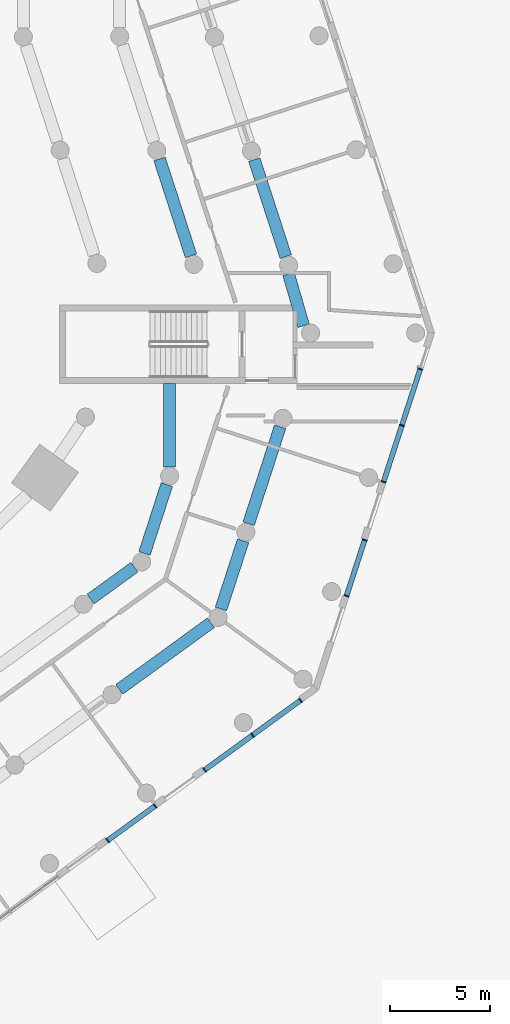
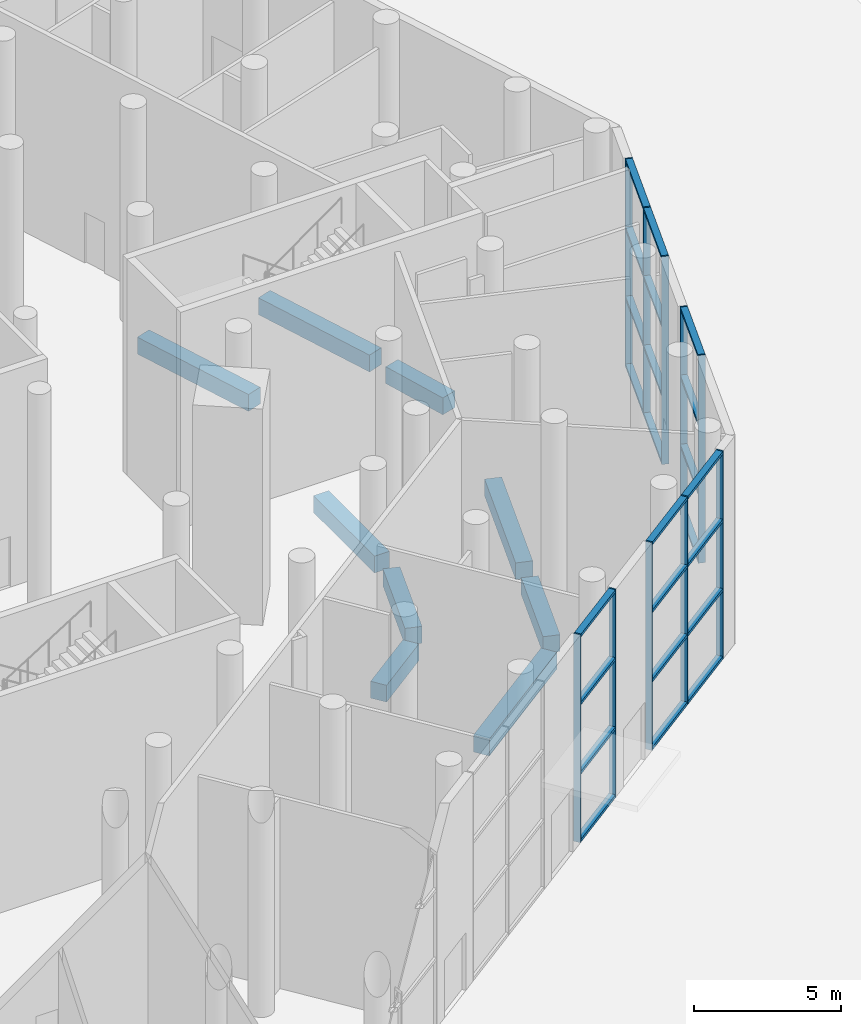
# One storey, part 6 of 25: 34 members, 9 beams, 4 elements without a shape of their own.
"""IFC4 building model written with IfcOpenShell, lengths in metres."""

from ifc_helpers import new_model, si_unit, direction, frame, origin, origin_2d, place, context, subcontext, project, spatial, rectangle, extrude, material, material_profile, profile_set, type_object, element, aggregate, save


model = new_model("IFC4")

# Units and contexts
model_context = context("Model", 3, precision=1e-05, world=origin(), true_north=direction((0.0, 1.0)))
body_context = subcontext(model_context, "Body", "Model", "MODEL_VIEW")
ifc_project = project(units=[si_unit("LENGTHUNIT", "METRE"), si_unit("AREAUNIT", "SQUARE_METRE"), si_unit("VOLUMEUNIT", "CUBIC_METRE"), si_unit("PLANEANGLEUNIT", "RADIAN"), si_unit("MASSUNIT", "GRAM", prefix="KILO")], contexts=[model_context])

# Site, building, storey
site_placement = place(None, origin())
site = spatial("IfcSite", under=ifc_project, at=site_placement, CompositionType="ELEMENT")
building_placement = place(site_placement, origin())
building = spatial("IfcBuilding", under=site, at=building_placement, Name="White Candle Pilgrim Tower", CompositionType="ELEMENT")
storey_placement = place(building_placement, origin())
storey = spatial("IfcBuildingStorey", under=building, at=storey_placement, Name="L00", CompositionType="ELEMENT", Elevation=0.0)

# Curtain wall, members
ifc_material_1 = material(Name="Aluminium and glass", Category="aluminium")
curtain_wall_type = type_object("IfcCurtainWallType", Name="Curtain wall CW1 hall glazing", PredefinedType="NOTDEFINED", material=ifc_material_1)
curtain_wall_1_placement = place(storey_placement, origin())
curtain_wall_1 = element("IfcCurtainWall", 1, at=curtain_wall_1_placement, inside=storey, type_object=curtain_wall_type, Name="Curtain wall CW1 L00 SE", PredefinedType="NOTDEFINED")
ifc_material_2 = material(Name="Aluminium", Category="aluminium")
ifc_material_profile_1 = material_profile(ifc_material_2, rectangle(XDim=0.25, YDim=0.06005859375, at=origin_2d()), Name="CW1 mullion 60x250")
ifc_profile_set_1 = profile_set([ifc_material_profile_1], Name="Aluminium")
member_type_1 = type_object("IfcMemberType", Name="CW1 mullion 60x250", PredefinedType="MULLION", material=ifc_profile_set_1)
member_1_placement = place(storey_placement, frame((94.713623046875, 35.139404296875, 0.0), z_axis=(0.0, 0.0, 1.0), x_axis=(-0.58778525698, 0.809016990969, 0.0)))
member_1 = element("IfcMember", 2, at=member_1_placement, type_object=member_type_1, Name="CW1 mullion 1", PredefinedType="MULLION", context=body_context, shape_type="SweptSolid", body=[
    extrude(rectangle(XDim=0.25, YDim=0.06005859375, at=origin_2d()), origin(), (0.0, 0.0, 1.0), 8.64990234375),
])
member_2_placement = place(storey_placement, frame((97.09228515625, 36.86767578125, 0.0), z_axis=(0.0, 0.0, 1.0), x_axis=(-0.58778525698, 0.809016990969, 0.0)))
member_2 = element("IfcMember", 3, at=member_2_placement, type_object=member_type_1, Name="CW1 mullion 2", PredefinedType="MULLION", context=body_context, shape_type="SweptSolid", body=[
    extrude(rectangle(XDim=0.25, YDim=0.06005859375, at=origin_2d()), origin(), (0.0, 0.0, 1.0), 8.64990234375),
])

curtain_wall_2_placement = place(storey_placement, origin())
curtain_wall_2 = element("IfcCurtainWall", 4, at=curtain_wall_2_placement, inside=storey, type_object=curtain_wall_type, Name="Curtain wall CW1 L00 SE", PredefinedType="NOTDEFINED")
member_3_placement = place(storey_placement, frame((99.56787109375, 38.666259765625, 0.0), z_axis=(0.0, 0.0, 1.0), x_axis=(-0.587785256867, 0.809016991051, 0.0)))
member_3 = element("IfcMember", 5, at=member_3_placement, type_object=member_type_1, Name="CW1 mullion 1", PredefinedType="MULLION", context=body_context, shape_type="SweptSolid", body=[
    extrude(rectangle(XDim=0.25, YDim=0.06005859375, at=origin_2d()), origin(), (0.0, 0.0, 1.0), 8.64990234375),
])
member_4_placement = place(storey_placement, frame((101.970458984375, 40.411865234375, 0.0), z_axis=(0.0, 0.0, 1.0), x_axis=(-0.587785256867, 0.809016991051, 0.0)))
member_4 = element("IfcMember", 6, at=member_4_placement, type_object=member_type_1, Name="CW1 mullion 2", PredefinedType="MULLION", context=body_context, shape_type="SweptSolid", body=[
    extrude(rectangle(XDim=0.25, YDim=0.06005859375, at=origin_2d()), origin(), (0.0, 0.0, 1.0), 8.64990234375),
])
member_5_placement = place(storey_placement, frame((104.373291015625, 42.15771484375, 0.0), z_axis=(0.0, 0.0, 1.0), x_axis=(-0.587785256867, 0.809016991051, 0.0)))
member_5 = element("IfcMember", 7, at=member_5_placement, type_object=member_type_1, Name="CW1 mullion 3", PredefinedType="MULLION", context=body_context, shape_type="SweptSolid", body=[
    extrude(rectangle(XDim=0.25, YDim=0.06005859375, at=origin_2d()), origin(), (0.0, 0.0, 1.0), 8.64990234375),
])

curtain_wall_3_placement = place(storey_placement, origin())
curtain_wall_3 = element("IfcCurtainWall", 8, at=curtain_wall_3_placement, inside=storey, type_object=curtain_wall_type, Name="Curtain wall CW1 L00 E chamfer", PredefinedType="NOTDEFINED")
member_6_placement = place(storey_placement, frame((106.674072265625, 47.3837890625, 0.0), z_axis=(0.0, 0.0, 1.0), x_axis=(-0.951056516311, 0.309016994325, 0.0)))
member_6 = element("IfcMember", 9, at=member_6_placement, type_object=member_type_1, Name="CW1 mullion 1", PredefinedType="MULLION", context=body_context, shape_type="SweptSolid", body=[
    extrude(rectangle(XDim=0.25, YDim=0.06005859375, at=origin_2d()), origin(), (0.0, 0.0, 1.0), 8.64990234375),
])
member_7_placement = place(storey_placement, frame((107.582763671875, 50.179931640625, 0.0), z_axis=(0.0, 0.0, 1.0), x_axis=(-0.951056516311, 0.309016994325, 0.0)))
member_7 = element("IfcMember", 10, at=member_7_placement, type_object=member_type_1, Name="CW1 mullion 2", PredefinedType="MULLION", context=body_context, shape_type="SweptSolid", body=[
    extrude(rectangle(XDim=0.25, YDim=0.06005859375, at=origin_2d()), origin(), (0.0, 0.0, 1.0), 8.64990234375),
])

curtain_wall_4_placement = place(storey_placement, origin())
curtain_wall_4 = element("IfcCurtainWall", 11, at=curtain_wall_4_placement, inside=storey, type_object=curtain_wall_type, Name="Curtain wall CW1 L00 E chamfer", PredefinedType="NOTDEFINED")
member_8_placement = place(storey_placement, frame((108.5283203125, 53.090087890625, 0.0), z_axis=(0.0, 0.0, 1.0), x_axis=(-0.951056516295, 0.309016994375, 0.0)))
member_8 = element("IfcMember", 12, at=member_8_placement, type_object=member_type_1, Name="CW1 mullion 1", PredefinedType="MULLION", context=body_context, shape_type="SweptSolid", body=[
    extrude(rectangle(XDim=0.25, YDim=0.06005859375, at=origin_2d()), origin(), (0.0, 0.0, 1.0), 8.64990234375),
])
member_9_placement = place(storey_placement, frame((109.446044921875, 55.914794921875, 0.0), z_axis=(0.0, 0.0, 1.0), x_axis=(-0.951056516295, 0.309016994375, 0.0)))
member_9 = element("IfcMember", 13, at=member_9_placement, type_object=member_type_1, Name="CW1 mullion 2", PredefinedType="MULLION", context=body_context, shape_type="SweptSolid", body=[
    extrude(rectangle(XDim=0.25, YDim=0.06005859375, at=origin_2d()), origin(), (0.0, 0.0, 1.0), 8.64990234375),
])
member_10_placement = place(storey_placement, frame((110.36376953125, 58.739501953125, 0.0), z_axis=(0.0, 0.0, 1.0), x_axis=(-0.951056516295, 0.309016994375, 0.0)))
member_10 = element("IfcMember", 14, at=member_10_placement, type_object=member_type_1, Name="CW1 mullion 3", PredefinedType="MULLION", context=body_context, shape_type="SweptSolid", body=[
    extrude(rectangle(XDim=0.25, YDim=0.06005859375, at=origin_2d()), origin(), (0.0, 0.0, 1.0), 8.64990234375),
])

# Member
ifc_material_profile_2 = material_profile(ifc_material_2, rectangle(XDim=0.25, YDim=0.1201171875, at=origin_2d()), Name="CW1 transom 120x250")
ifc_profile_set_2 = profile_set([ifc_material_profile_2], Name="Aluminium")
member_type_2 = type_object("IfcMemberType", Name="CW1 transom 120x250", PredefinedType="USERDEFINED", material=ifc_profile_set_2)
member_11_placement = place(storey_placement, frame((94.738037109375, 35.156982421875, 0.06005859375), z_axis=(0.808992618726, 0.587818801032, 0.0), x_axis=(-0.587818801032, 0.808992618726, 0.0)))
member_11 = element("IfcMember", 15, at=member_11_placement, type_object=member_type_2, Name="CW1 transom 1.1", ObjectType="TRANSOM", PredefinedType="USERDEFINED", context=body_context, shape_type="SweptSolid", body=[
    extrude(rectangle(XDim=0.25, YDim=0.1201171875, at=origin_2d()), origin(), (0.0, 0.0, 1.0), 2.8798828125),
])

member_12_placement = place(storey_placement, frame((94.738037109375, 35.156982421875, 2.88330078125), z_axis=(0.808992618726, 0.587818801032, 0.0), x_axis=(-0.587818801032, 0.808992618726, 0.0)))
member_12 = element("IfcMember", 16, at=member_12_placement, type_object=member_type_2, Name="CW1 transom 1.2", ObjectType="TRANSOM", PredefinedType="USERDEFINED", context=body_context, shape_type="SweptSolid", body=[
    extrude(rectangle(XDim=0.25, YDim=0.1201171875, at=origin_2d()), origin(), (0.0, 0.0, 1.0), 2.8798828125),
])

member_13_placement = place(storey_placement, frame((94.738037109375, 35.156982421875, 5.7666015625), z_axis=(0.808992618726, 0.587818801032, 0.0), x_axis=(-0.587818801032, 0.808992618726, 0.0)))
member_13 = element("IfcMember", 17, at=member_13_placement, type_object=member_type_2, Name="CW1 transom 1.3", ObjectType="TRANSOM", PredefinedType="USERDEFINED", context=body_context, shape_type="SweptSolid", body=[
    extrude(rectangle(XDim=0.25, YDim=0.1201171875, at=origin_2d()), origin(), (0.0, 0.0, 1.0), 2.8798828125),
])

member_14_placement = place(storey_placement, frame((94.738037109375, 35.156982421875, 8.590087890625), z_axis=(0.808992618726, 0.587818801032, 0.0), x_axis=(-0.587818801032, 0.808992618726, 0.0)))
member_14 = element("IfcMember", 18, at=member_14_placement, type_object=member_type_2, Name="CW1 transom 1.4", ObjectType="TRANSOM", PredefinedType="USERDEFINED", context=body_context, shape_type="SweptSolid", body=[
    extrude(rectangle(XDim=0.25, YDim=0.1201171875, at=origin_2d()), origin(), (0.0, 0.0, 1.0), 2.8798828125),
])

aggregate(curtain_wall_1, [member_1, member_2, member_11, member_12, member_13, member_14])

member_15_placement = place(storey_placement, frame((99.592041015625, 38.683837890625, 0.06005859375), z_axis=(0.809018973085, 0.587782528822, 0.0), x_axis=(-0.587782528822, 0.809018973085, 0.0)))
member_15 = element("IfcMember", 19, at=member_15_placement, type_object=member_type_2, Name="CW1 transom 1.1", ObjectType="TRANSOM", PredefinedType="USERDEFINED", context=body_context, shape_type="SweptSolid", body=[
    extrude(rectangle(XDim=0.25, YDim=0.1201171875, at=origin_2d()), origin(), (0.0, 0.0, 1.0), 2.909912109375),
])

member_16_placement = place(storey_placement, frame((99.592041015625, 38.683837890625, 2.88330078125), z_axis=(0.809018973085, 0.587782528822, 0.0), x_axis=(-0.587782528822, 0.809018973085, 0.0)))
member_16 = element("IfcMember", 20, at=member_16_placement, type_object=member_type_2, Name="CW1 transom 1.2", ObjectType="TRANSOM", PredefinedType="USERDEFINED", context=body_context, shape_type="SweptSolid", body=[
    extrude(rectangle(XDim=0.25, YDim=0.1201171875, at=origin_2d()), origin(), (0.0, 0.0, 1.0), 2.909912109375),
])

member_17_placement = place(storey_placement, frame((99.592041015625, 38.683837890625, 5.7666015625), z_axis=(0.809018973085, 0.587782528822, 0.0), x_axis=(-0.587782528822, 0.809018973085, 0.0)))
member_17 = element("IfcMember", 21, at=member_17_placement, type_object=member_type_2, Name="CW1 transom 1.3", ObjectType="TRANSOM", PredefinedType="USERDEFINED", context=body_context, shape_type="SweptSolid", body=[
    extrude(rectangle(XDim=0.25, YDim=0.1201171875, at=origin_2d()), origin(), (0.0, 0.0, 1.0), 2.909912109375),
])

member_18_placement = place(storey_placement, frame((99.592041015625, 38.683837890625, 8.590087890625), z_axis=(0.809018973085, 0.587782528822, 0.0), x_axis=(-0.587782528822, 0.809018973085, 0.0)))
member_18 = element("IfcMember", 22, at=member_18_placement, type_object=member_type_2, Name="CW1 transom 1.4", ObjectType="TRANSOM", PredefinedType="USERDEFINED", context=body_context, shape_type="SweptSolid", body=[
    extrude(rectangle(XDim=0.25, YDim=0.1201171875, at=origin_2d()), origin(), (0.0, 0.0, 1.0), 2.909912109375),
])

member_19_placement = place(storey_placement, frame((101.994873046875, 40.429443359375, 0.06005859375), z_axis=(0.809018973085, 0.587782528822, 0.0), x_axis=(-0.587782528822, 0.809018973085, 0.0)))
member_19 = element("IfcMember", 23, at=member_19_placement, type_object=member_type_2, Name="CW1 transom 2.1", ObjectType="TRANSOM", PredefinedType="USERDEFINED", context=body_context, shape_type="SweptSolid", body=[
    extrude(rectangle(XDim=0.25, YDim=0.1201171875, at=origin_2d()), origin(), (0.0, 0.0, 1.0), 2.909912109375),
])

member_20_placement = place(storey_placement, frame((101.994873046875, 40.429443359375, 2.88330078125), z_axis=(0.809018973085, 0.587782528822, 0.0), x_axis=(-0.587782528822, 0.809018973085, 0.0)))
member_20 = element("IfcMember", 24, at=member_20_placement, type_object=member_type_2, Name="CW1 transom 2.2", ObjectType="TRANSOM", PredefinedType="USERDEFINED", context=body_context, shape_type="SweptSolid", body=[
    extrude(rectangle(XDim=0.25, YDim=0.1201171875, at=origin_2d()), origin(), (0.0, 0.0, 1.0), 2.909912109375),
])

member_21_placement = place(storey_placement, frame((101.994873046875, 40.429443359375, 5.7666015625), z_axis=(0.809018973085, 0.587782528822, 0.0), x_axis=(-0.587782528822, 0.809018973085, 0.0)))
member_21 = element("IfcMember", 25, at=member_21_placement, type_object=member_type_2, Name="CW1 transom 2.3", ObjectType="TRANSOM", PredefinedType="USERDEFINED", context=body_context, shape_type="SweptSolid", body=[
    extrude(rectangle(XDim=0.25, YDim=0.1201171875, at=origin_2d()), origin(), (0.0, 0.0, 1.0), 2.909912109375),
])

member_22_placement = place(storey_placement, frame((101.994873046875, 40.429443359375, 8.590087890625), z_axis=(0.809018973085, 0.587782528822, 0.0), x_axis=(-0.587782528822, 0.809018973085, 0.0)))
member_22 = element("IfcMember", 26, at=member_22_placement, type_object=member_type_2, Name="CW1 transom 2.4", ObjectType="TRANSOM", PredefinedType="USERDEFINED", context=body_context, shape_type="SweptSolid", body=[
    extrude(rectangle(XDim=0.25, YDim=0.1201171875, at=origin_2d()), origin(), (0.0, 0.0, 1.0), 2.909912109375),
])

aggregate(curtain_wall_2, [member_3, member_4, member_5, member_15, member_16, member_17, member_18, member_19, member_20, member_21, member_22])

member_23_placement = place(storey_placement, frame((106.683349609375, 47.412353515625, 0.06005859375), z_axis=(0.309072654729, 0.951038429349, 0.0), x_axis=(-0.951038429349, 0.309072654729, 0.0)))
member_23 = element("IfcMember", 27, at=member_23_placement, type_object=member_type_2, Name="CW1 transom 1.1", ObjectType="TRANSOM", PredefinedType="USERDEFINED", context=body_context, shape_type="SweptSolid", body=[
    extrude(rectangle(XDim=0.25, YDim=0.1201171875, at=origin_2d()), origin(), (0.0, 0.0, 1.0), 2.880126953125),
])

member_24_placement = place(storey_placement, frame((106.683349609375, 47.412353515625, 2.88330078125), z_axis=(0.309072654729, 0.951038429349, 0.0), x_axis=(-0.951038429349, 0.309072654729, 0.0)))
member_24 = element("IfcMember", 28, at=member_24_placement, type_object=member_type_2, Name="CW1 transom 1.2", ObjectType="TRANSOM", PredefinedType="USERDEFINED", context=body_context, shape_type="SweptSolid", body=[
    extrude(rectangle(XDim=0.25, YDim=0.1201171875, at=origin_2d()), origin(), (0.0, 0.0, 1.0), 2.880126953125),
])

member_25_placement = place(storey_placement, frame((106.683349609375, 47.412353515625, 5.7666015625), z_axis=(0.309072654729, 0.951038429349, 0.0), x_axis=(-0.951038429349, 0.309072654729, 0.0)))
member_25 = element("IfcMember", 29, at=member_25_placement, type_object=member_type_2, Name="CW1 transom 1.3", ObjectType="TRANSOM", PredefinedType="USERDEFINED", context=body_context, shape_type="SweptSolid", body=[
    extrude(rectangle(XDim=0.25, YDim=0.1201171875, at=origin_2d()), origin(), (0.0, 0.0, 1.0), 2.880126953125),
])

member_26_placement = place(storey_placement, frame((106.683349609375, 47.412353515625, 8.590087890625), z_axis=(0.309072654729, 0.951038429349, 0.0), x_axis=(-0.951038429349, 0.309072654729, 0.0)))
member_26 = element("IfcMember", 30, at=member_26_placement, type_object=member_type_2, Name="CW1 transom 1.4", ObjectType="TRANSOM", PredefinedType="USERDEFINED", context=body_context, shape_type="SweptSolid", body=[
    extrude(rectangle(XDim=0.25, YDim=0.1201171875, at=origin_2d()), origin(), (0.0, 0.0, 1.0), 2.880126953125),
])

aggregate(curtain_wall_3, [member_6, member_7, member_23, member_24, member_25, member_26])

member_27_placement = place(storey_placement, frame((108.53759765625, 53.11865234375, 0.06005859375), z_axis=(0.308995011864, 0.951063658565, 0.0), x_axis=(-0.951063658565, 0.308995011864, 0.0)))
member_27 = element("IfcMember", 31, at=member_27_placement, type_object=member_type_2, Name="CW1 transom 1.1", ObjectType="TRANSOM", PredefinedType="USERDEFINED", context=body_context, shape_type="SweptSolid", body=[
    extrude(rectangle(XDim=0.25, YDim=0.1201171875, at=origin_2d()), origin(), (0.0, 0.0, 1.0), 2.909912109375),
])

member_28_placement = place(storey_placement, frame((108.53759765625, 53.11865234375, 2.88330078125), z_axis=(0.308995011864, 0.951063658565, 0.0), x_axis=(-0.951063658565, 0.308995011864, 0.0)))
member_28 = element("IfcMember", 32, at=member_28_placement, type_object=member_type_2, Name="CW1 transom 1.2", ObjectType="TRANSOM", PredefinedType="USERDEFINED", context=body_context, shape_type="SweptSolid", body=[
    extrude(rectangle(XDim=0.25, YDim=0.1201171875, at=origin_2d()), origin(), (0.0, 0.0, 1.0), 2.909912109375),
])

member_29_placement = place(storey_placement, frame((108.53759765625, 53.11865234375, 5.7666015625), z_axis=(0.308995011864, 0.951063658565, 0.0), x_axis=(-0.951063658565, 0.308995011864, 0.0)))
member_29 = element("IfcMember", 33, at=member_29_placement, type_object=member_type_2, Name="CW1 transom 1.3", ObjectType="TRANSOM", PredefinedType="USERDEFINED", context=body_context, shape_type="SweptSolid", body=[
    extrude(rectangle(XDim=0.25, YDim=0.1201171875, at=origin_2d()), origin(), (0.0, 0.0, 1.0), 2.909912109375),
])

member_30_placement = place(storey_placement, frame((108.53759765625, 53.11865234375, 8.590087890625), z_axis=(0.308995011864, 0.951063658565, 0.0), x_axis=(-0.951063658565, 0.308995011864, 0.0)))
member_30 = element("IfcMember", 34, at=member_30_placement, type_object=member_type_2, Name="CW1 transom 1.4", ObjectType="TRANSOM", PredefinedType="USERDEFINED", context=body_context, shape_type="SweptSolid", body=[
    extrude(rectangle(XDim=0.25, YDim=0.1201171875, at=origin_2d()), origin(), (0.0, 0.0, 1.0), 2.909912109375),
])

member_31_placement = place(storey_placement, frame((109.455322265625, 55.943359375, 0.06005859375), z_axis=(0.308995011864, 0.951063658565, 0.0), x_axis=(-0.951063658565, 0.308995011864, 0.0)))
member_31 = element("IfcMember", 35, at=member_31_placement, type_object=member_type_2, Name="CW1 transom 2.1", ObjectType="TRANSOM", PredefinedType="USERDEFINED", context=body_context, shape_type="SweptSolid", body=[
    extrude(rectangle(XDim=0.25, YDim=0.1201171875, at=origin_2d()), origin(), (0.0, 0.0, 1.0), 2.909912109375),
])

member_32_placement = place(storey_placement, frame((109.455322265625, 55.943359375, 2.88330078125), z_axis=(0.308995011864, 0.951063658565, 0.0), x_axis=(-0.951063658565, 0.308995011864, 0.0)))
member_32 = element("IfcMember", 36, at=member_32_placement, type_object=member_type_2, Name="CW1 transom 2.2", ObjectType="TRANSOM", PredefinedType="USERDEFINED", context=body_context, shape_type="SweptSolid", body=[
    extrude(rectangle(XDim=0.25, YDim=0.1201171875, at=origin_2d()), origin(), (0.0, 0.0, 1.0), 2.909912109375),
])

member_33_placement = place(storey_placement, frame((109.455322265625, 55.943359375, 5.7666015625), z_axis=(0.308995011864, 0.951063658565, 0.0), x_axis=(-0.951063658565, 0.308995011864, 0.0)))
member_33 = element("IfcMember", 37, at=member_33_placement, type_object=member_type_2, Name="CW1 transom 2.3", ObjectType="TRANSOM", PredefinedType="USERDEFINED", context=body_context, shape_type="SweptSolid", body=[
    extrude(rectangle(XDim=0.25, YDim=0.1201171875, at=origin_2d()), origin(), (0.0, 0.0, 1.0), 2.909912109375),
])

member_34_placement = place(storey_placement, frame((109.455322265625, 55.943359375, 8.590087890625), z_axis=(0.308995011864, 0.951063658565, 0.0), x_axis=(-0.951063658565, 0.308995011864, 0.0)))
member_34 = element("IfcMember", 38, at=member_34_placement, type_object=member_type_2, Name="CW1 transom 2.4", ObjectType="TRANSOM", PredefinedType="USERDEFINED", context=body_context, shape_type="SweptSolid", body=[
    extrude(rectangle(XDim=0.25, YDim=0.1201171875, at=origin_2d()), origin(), (0.0, 0.0, 1.0), 2.909912109375),
])

aggregate(curtain_wall_4, [member_8, member_9, member_10, member_27, member_28, member_29, member_30, member_31, member_32, member_33, member_34])

# Beams
ifc_material_3 = material(Name="Concrete C50/60", Category="concrete")
ifc_material_profile_3 = material_profile(ifc_material_3, rectangle(XDim=0.60009765625, YDim=0.699951171875, at=origin_2d()), Name="RC-BM 600x700")
ifc_profile_set_3 = profile_set([ifc_material_profile_3], Name="Concrete C50/60")
beam_type = type_object("IfcBeamType", Name="Spandrel beam RC-BM 600x700 C50/60", PredefinedType="BEAM", material=ifc_profile_set_3)
beam_1_placement = place(storey_placement, frame((95.2998046875, 42.703369140625, -0.800048828125), z_axis=(0.808998591139, 0.587810581339, 0.0), x_axis=(-0.587810581339, 0.808998591139, 0.0)))
element("IfcBeam", 39, at=beam_1_placement, inside=storey, type_object=beam_type, Name="L00 spandrel beam B15", PredefinedType="BEAM", context=body_context, shape_type="SweptSolid", body=[
    extrude(rectangle(XDim=0.60009765625, YDim=0.699951171875, at=origin_2d()), origin(), (0.0, 0.0, 1.0), 5.6689453125),
])
beam_2_placement = place(storey_placement, frame((100.388916015625, 46.727783203125, -0.800048828125), z_axis=(0.309029111375, 0.951052579158, 0.0), x_axis=(-0.951052579158, 0.309029111375, 0.0)))
element("IfcBeam", 40, at=beam_2_placement, inside=storey, type_object=beam_type, Name="L00 spandrel beam B16", PredefinedType="BEAM", context=body_context, shape_type="SweptSolid", body=[
    extrude(rectangle(XDim=0.60009765625, YDim=0.699951171875, at=origin_2d()), origin(), (0.0, 0.0, 1.0), 3.5859375),
])
beam_3_placement = place(storey_placement, frame((101.77490234375, 50.993896484375, -0.800048828125), z_axis=(0.308996245399, 0.951063257796, 0.0), x_axis=(-0.951063257796, 0.308996245399, 0.0)))
element("IfcBeam", 41, at=beam_3_placement, inside=storey, type_object=beam_type, Name="L00 spandrel beam B17", PredefinedType="BEAM", context=body_context, shape_type="SweptSolid", body=[
    extrude(rectangle(XDim=0.60009765625, YDim=0.699951171875, at=origin_2d()), origin(), (0.0, 0.0, 1.0), 5.100830078125),
])
beam_4_placement = place(storey_placement, frame((103.77392578125, 63.48291015625, -0.800048828125), z_axis=(0.280104425624, -0.959969536363, 0.0), x_axis=(0.959969536363, 0.280104425624, 0.0)))
element("IfcBeam", 42, at=beam_4_placement, inside=storey, type_object=beam_type, Name="L00 spandrel beam B18", PredefinedType="BEAM", context=body_context, shape_type="SweptSolid", body=[
    extrude(rectangle(XDim=0.60009765625, YDim=0.699951171875, at=origin_2d()), origin(), (0.0, 0.0, 1.0), 2.693359375),
])
beam_5_placement = place(storey_placement, frame((103.635009765625, 64.36083984375, -0.800048828125), z_axis=(-0.309126113006, 0.951021054582, 0.0), x_axis=(-0.951021054582, -0.309126113006, 0.0)))
element("IfcBeam", 43, at=beam_5_placement, inside=storey, type_object=beam_type, Name="L00 spandrel beam B19", PredefinedType="BEAM", context=body_context, shape_type="SweptSolid", body=[
    extrude(rectangle(XDim=0.60009765625, YDim=0.699951171875, at=origin_2d()), origin(), (0.0, 0.0, 1.0), 5.10107421875),
])
beam_6_placement = place(storey_placement, frame((93.867919921875, 47.225341796875, -0.800048828125), z_axis=(0.809008975915, 0.587796288598, 0.0), x_axis=(-0.587796288598, 0.809008975915, 0.0)))
element("IfcBeam", 44, at=beam_6_placement, inside=storey, type_object=beam_type, Name="L00 spandrel beam C13", PredefinedType="BEAM", context=body_context, shape_type="SweptSolid", body=[
    extrude(rectangle(XDim=0.60009765625, YDim=0.699951171875, at=origin_2d()), origin(), (0.0, 0.0, 1.0), 2.707275390625),
])
beam_7_placement = place(storey_placement, frame((96.56103515625, 49.5087890625, -0.800048828125), z_axis=(0.308944435163, 0.951080089152, 0.0), x_axis=(-0.951080089152, 0.308944435163, 0.0)))
element("IfcBeam", 45, at=beam_7_placement, inside=storey, type_object=beam_type, Name="L00 spandrel beam C14", PredefinedType="BEAM", context=body_context, shape_type="SweptSolid", body=[
    extrude(rectangle(XDim=0.60009765625, YDim=0.699951171875, at=origin_2d()), origin(), (0.0, 0.0, 1.0), 3.624755859375),
])
beam_8_placement = place(storey_placement, frame((97.820068359375, 53.833984375, -0.800048828125), z_axis=(0.0, 1.0, 0.0), x_axis=(-1.0, 0.0, 0.0)))
element("IfcBeam", 46, at=beam_8_placement, inside=storey, type_object=beam_type, Name="L00 spandrel beam C15", PredefinedType="BEAM", context=body_context, shape_type="SweptSolid", body=[
    extrude(rectangle(XDim=0.60009765625, YDim=0.699951171875, at=origin_2d()), origin(), (0.0, 0.0, 1.0), 4.166015625),
])
beam_9_placement = place(storey_placement, frame((98.89111328125, 64.396728515625, -0.800048828125), z_axis=(-0.308982180599, 0.951067827272, 0.0), x_axis=(-0.951067827272, -0.308982180599, 0.0)))
element("IfcBeam", 47, at=beam_9_placement, inside=storey, type_object=beam_type, Name="L00 spandrel beam C16", PredefinedType="BEAM", context=body_context, shape_type="SweptSolid", body=[
    extrude(rectangle(XDim=0.60009765625, YDim=0.699951171875, at=origin_2d()), origin(), (0.0, 0.0, 1.0), 5.10107421875),
])

save(model, "model.ifc")
